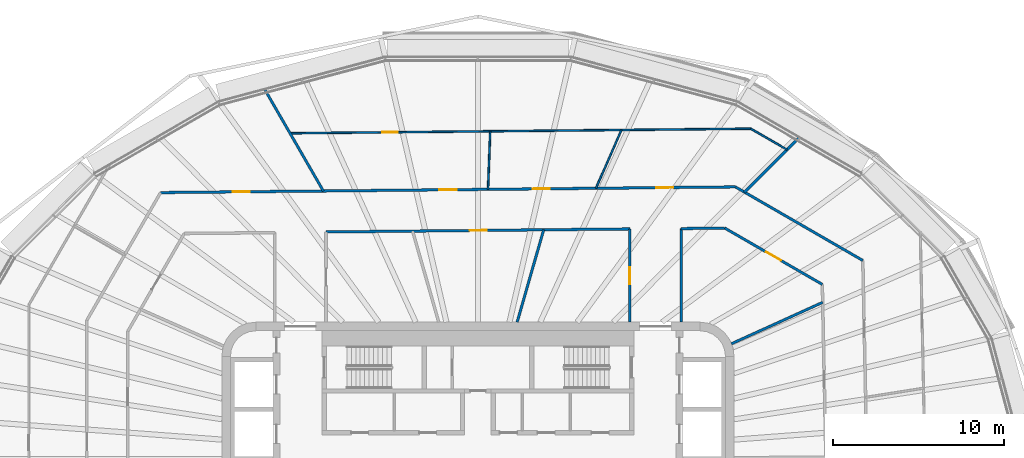
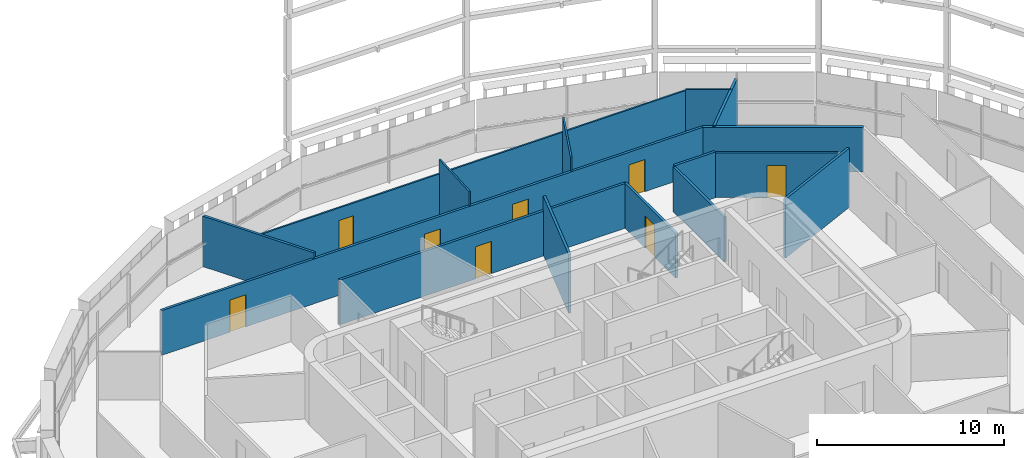
# One storey, part 15 of 24: 15 walls, 8 doors, 8 openings.
"""IFC4 building model written with IfcOpenShell, lengths in metres."""

from ifc_helpers import new_model, si_unit, direction, frame, frame_2d, origin, place, context, subcontext, project, spatial, rectangle, extrude, material, layer, layer_set, type_object, element, fill, save


model = new_model("IFC4")

# Units and contexts
model_context = context("Model", 3, precision=1e-05, world=origin(), true_north=direction((0.0, 1.0)))
body_context = subcontext(model_context, "Body", "Model", "MODEL_VIEW")
ifc_project = project(units=[si_unit("LENGTHUNIT", "METRE"), si_unit("AREAUNIT", "SQUARE_METRE"), si_unit("VOLUMEUNIT", "CUBIC_METRE"), si_unit("PLANEANGLEUNIT", "RADIAN"), si_unit("MASSUNIT", "GRAM", prefix="KILO")], contexts=[model_context])

# Site, building, storey
site_placement = place(None, origin())
site = spatial("IfcSite", under=ifc_project, at=site_placement, CompositionType="ELEMENT")
building_placement = place(site_placement, origin())
building = spatial("IfcBuilding", under=site, at=building_placement, Name="Sahrelin Media Tower", CompositionType="ELEMENT")
storey_placement = place(building_placement, frame((0.0, 0.0, 153.60009765625)))
storey = spatial("IfcBuildingStorey", under=building, at=storey_placement, Name="L31", CompositionType="ELEMENT", Elevation=153.60009765625)

# Wall
ifc_material_1 = material(Name="Fire-rated gypsum board partition")
ifc_layer_1 = layer(ifc_material_1, 0.14990234375)
ifc_layer_set_1 = layer_set([ifc_layer_1], Name="Fire-rated partition 150")
wall_type_1 = type_object("IfcWallType", Name="Fire-rated partition 150", PredefinedType="PARTITIONING", material=ifc_layer_set_1)
wall_1_placement = place(storey_placement, frame((-12.492919921875, 21.638916015625, 0.0), z_axis=(0.0, 0.0, 1.0), x_axis=(0.499964153563, -0.866046098746, 0.0)))
element("IfcWall", 1, at=wall_1_placement, inside=storey, type_object=wall_type_1, Name="Wall", PredefinedType="PARTITIONING", context=body_context, shape_type="SweptSolid", body=[
    extrude(rectangle(XDim=6.87841796875, YDim=0.14990234375, at=frame_2d((3.439208984375, 0.0))), origin(), (0.0, 0.0, 1.0), 3.301513671875),
])

# Wall, opening, door
wall_2_placement = place(storey_placement, frame((14.447998046875, 13.514892578125, 0.0), z_axis=(0.0, 0.0, 1.0), x_axis=(0.865975016585, -0.500087263036, 0.0)))
wall_2 = element("IfcWall", 2, at=wall_2_placement, inside=storey, type_object=wall_type_1, Name="Wall", PredefinedType="PARTITIONING", context=body_context, shape_type="SweptSolid", body=[
    extrude(rectangle(XDim=6.603759765625, YDim=0.14990234375, at=frame_2d((3.3017578125, 0.0))), origin(), (0.0, 0.0, 1.0), 2.927001953125),
])
opening_1_placement = place(wall_2_placement, frame((2.8037109375, 0.0, 0.0)))
opening_1 = element("IfcOpeningElement", 3, at=opening_1_placement, cuts=wall_2, Name="Opening L31-D29", PredefinedType="OPENING", context=body_context, shape_type="SweptSolid", body=[
    extrude(rectangle(XDim=1.0, YDim=2.10009765625, at=frame_2d((0.5, 1.050048828125))), frame((0.0, 0.074951171875, 0.0), z_axis=(0.0, -1.0, 0.0), x_axis=(1.0, 0.0, 0.0)), (0.0, 0.0, 1.0), 0.14990234375),
])
ifc_material_2 = material(Name="Steel fire door leaf", Category="steel")
door_type_1 = type_object("IfcDoorType", Name="Fire door 1000 x 2100 EI 60", OperationType="NOTDEFINED", PredefinedType="DOOR", material=ifc_material_2)
door_1_placement = place(opening_1_placement, origin())
door_1 = element("IfcDoor", 4, at=door_1_placement, inside=storey, type_object=door_type_1, Name="Fire door", OperationType="SINGLE_SWING_LEFT", OverallHeight=2.10009765625, OverallWidth=1.0, PredefinedType="DOOR", context=body_context, shape_type="SweptSolid", body=[
    extrude(rectangle(XDim=1.0, YDim=2.10009765625, at=frame_2d((0.5, 1.050048828125))), frame((0.0, 0.02490234375, 0.0), z_axis=(0.0, -1.0, 0.0), x_axis=(1.0, 0.0, 0.0)), (0.0, 0.0, 1.0), 0.050048828125),
])
fill(opening_1, door_1)

# Wall
wall_3_placement = place(storey_placement, frame((15.080078125, 15.9208984375, 0.0), z_axis=(0.0, 0.0, 1.0), x_axis=(0.865982112089, -0.50007497592, 0.0)))
element("IfcWall", 5, at=wall_3_placement, inside=storey, type_object=wall_type_1, Name="Wall", PredefinedType="PARTITIONING", context=body_context, shape_type="SweptSolid", body=[
    extrude(rectangle(XDim=8.612548828125, YDim=0.14990234375, at=frame_2d((4.30615234375, 0.0))), origin(), (0.0, 0.0, 1.0), 2.927001953125),
])

# Wall, opening, door
wall_4_placement = place(storey_placement, frame((-8.89990234375, 13.282470703125, 0.0), z_axis=(0.0, 0.0, 1.0), x_axis=(0.999950834077, 0.009916119672, 0.0)))
wall_4 = element("IfcWall", 6, at=wall_4_placement, inside=storey, type_object=wall_type_1, Name="Wall", PredefinedType="PARTITIONING", context=body_context, shape_type="SweptSolid", body=[
    extrude(rectangle(XDim=17.80078125, YDim=0.14990234375, at=frame_2d((8.900390625, 0.0))), origin(), (0.0, 0.0, 1.0), 2.927001953125),
])
opening_2_placement = place(wall_4_placement, frame((8.412109375, 0.0, 0.0)))
opening_2 = element("IfcOpeningElement", 7, at=opening_2_placement, cuts=wall_4, Name="Opening L31-D31", PredefinedType="OPENING", context=body_context, shape_type="SweptSolid", body=[
    extrude(rectangle(XDim=1.0, YDim=2.10009765625, at=frame_2d((0.5, 1.050048828125))), frame((0.0, 0.074951171875, 0.0), z_axis=(0.0, -1.0, 0.0), x_axis=(1.0, 0.0, 0.0)), (0.0, 0.0, 1.0), 0.14990234375),
])
door_2_placement = place(opening_2_placement, origin())
door_2 = element("IfcDoor", 8, at=door_2_placement, inside=storey, type_object=door_type_1, Name="Fire door", OperationType="SINGLE_SWING_LEFT", OverallHeight=2.10009765625, OverallWidth=1.0, PredefinedType="DOOR", context=body_context, shape_type="SweptSolid", body=[
    extrude(rectangle(XDim=1.0, YDim=2.10009765625, at=frame_2d((0.5, 1.050048828125))), frame((0.0, 0.02490234375, 0.0), z_axis=(0.0, -1.0, 0.0), x_axis=(1.0, 0.0, 0.0)), (0.0, 0.0, 1.0), 0.050048828125),
])
fill(opening_2, door_2)

# Wall
wall_5_placement = place(storey_placement, frame((11.89990234375, 13.47998046875, 0.0), z_axis=(0.0, 0.0, 1.0), x_axis=(0.999950357576, 0.009964054536, 0.0)))
element("IfcWall", 9, at=wall_5_placement, inside=storey, type_object=wall_type_1, Name="Wall", PredefinedType="PARTITIONING", context=body_context, shape_type="SweptSolid", body=[
    extrude(rectangle(XDim=2.54833984375, YDim=0.14990234375, at=frame_2d((1.274169921875, 0.0))), origin(), (0.0, 0.0, 1.0), 2.994873046875),
])

# Wall, openings, doors
wall_6_placement = place(storey_placement, frame((-18.5869140625, 15.5869140625, 0.0), z_axis=(0.0, 0.0, 1.0), x_axis=(0.99995087003, 0.009912493396, 0.0)))
wall_6 = element("IfcWall", 10, at=wall_6_placement, inside=storey, type_object=wall_type_1, Name="Wall", PredefinedType="PARTITIONING", context=body_context, shape_type="SweptSolid", body=[
    extrude(rectangle(XDim=33.668701171875, YDim=0.14990234375, at=frame_2d((16.83447265625, 0.0))), origin(), (0.0, 0.0, 1.0), 2.927001953125),
])
opening_3_placement = place(wall_6_placement, frame((29.033447265625, 0.0, 0.0)))
opening_3 = element("IfcOpeningElement", 11, at=opening_3_placement, cuts=wall_6, Name="Opening L31-D37", PredefinedType="OPENING", context=body_context, shape_type="SweptSolid", body=[
    extrude(rectangle(XDim=1.0, YDim=2.10009765625, at=frame_2d((0.5, 1.050048828125))), frame((0.0, 0.074951171875, 0.0), z_axis=(0.0, -1.0, 0.0), x_axis=(1.0, 0.0, 0.0)), (0.0, 0.0, 1.0), 0.14990234375),
])
opening_4_placement = place(wall_6_placement, frame((21.786865234375, 0.0, 0.0)))
opening_4 = element("IfcOpeningElement", 12, at=opening_4_placement, cuts=wall_6, Name="Opening L31-D38", PredefinedType="OPENING", context=body_context, shape_type="SweptSolid", body=[
    extrude(rectangle(XDim=1.0, YDim=2.10009765625, at=frame_2d((0.5, 1.050048828125))), frame((0.0, 0.074951171875, 0.0), z_axis=(0.0, -1.0, 0.0), x_axis=(1.0, 0.0, 0.0)), (0.0, 0.0, 1.0), 0.14990234375),
])
opening_5_placement = place(wall_6_placement, frame((16.334716796875, 0.0, 0.0)))
opening_5 = element("IfcOpeningElement", 13, at=opening_5_placement, cuts=wall_6, Name="Opening L31-D39", PredefinedType="OPENING", context=body_context, shape_type="SweptSolid", body=[
    extrude(rectangle(XDim=1.0, YDim=2.10009765625, at=frame_2d((0.5, 1.050048828125))), frame((0.0, 0.074951171875, 0.0), z_axis=(0.0, -1.0, 0.0), x_axis=(1.0, 0.0, 0.0)), (0.0, 0.0, 1.0), 0.14990234375),
])
opening_6_placement = place(wall_6_placement, frame((4.21728515625, 0.0, 0.0)))
opening_6 = element("IfcOpeningElement", 14, at=opening_6_placement, cuts=wall_6, Name="Opening L31-D41", PredefinedType="OPENING", context=body_context, shape_type="SweptSolid", body=[
    extrude(rectangle(XDim=1.0, YDim=2.10009765625, at=frame_2d((0.5, 1.050048828125))), frame((0.0, 0.074951171875, 0.0), z_axis=(0.0, -1.0, 0.0), x_axis=(1.0, 0.0, 0.0)), (0.0, 0.0, 1.0), 0.14990234375),
])
door_3_placement = place(opening_3_placement, origin())
door_3 = element("IfcDoor", 15, at=door_3_placement, inside=storey, type_object=door_type_1, Name="Fire door", OperationType="SINGLE_SWING_LEFT", OverallHeight=2.10009765625, OverallWidth=1.0, PredefinedType="DOOR", context=body_context, shape_type="SweptSolid", body=[
    extrude(rectangle(XDim=1.0, YDim=2.10009765625, at=frame_2d((0.5, 1.050048828125))), frame((0.0, 0.02490234375, 0.0), z_axis=(0.0, -1.0, 0.0), x_axis=(1.0, 0.0, 0.0)), (0.0, 0.0, 1.0), 0.050048828125),
])
fill(opening_3, door_3)
door_4_placement = place(opening_4_placement, origin())
door_4 = element("IfcDoor", 16, at=door_4_placement, inside=storey, type_object=door_type_1, Name="Fire door", OperationType="SINGLE_SWING_LEFT", OverallHeight=2.10009765625, OverallWidth=1.0, PredefinedType="DOOR", context=body_context, shape_type="SweptSolid", body=[
    extrude(rectangle(XDim=1.0, YDim=2.10009765625, at=frame_2d((0.5, 1.050048828125))), frame((0.0, 0.02490234375, 0.0), z_axis=(0.0, -1.0, 0.0), x_axis=(1.0, 0.0, 0.0)), (0.0, 0.0, 1.0), 0.050048828125),
])
fill(opening_4, door_4)
door_5_placement = place(opening_5_placement, origin())
door_5 = element("IfcDoor", 17, at=door_5_placement, inside=storey, type_object=door_type_1, Name="Fire door", OperationType="SINGLE_SWING_LEFT", OverallHeight=2.10009765625, OverallWidth=1.0, PredefinedType="DOOR", context=body_context, shape_type="SweptSolid", body=[
    extrude(rectangle(XDim=1.0, YDim=2.10009765625, at=frame_2d((0.5, 1.050048828125))), frame((0.0, 0.02490234375, 0.0), z_axis=(0.0, -1.0, 0.0), x_axis=(1.0, 0.0, 0.0)), (0.0, 0.0, 1.0), 0.050048828125),
])
fill(opening_5, door_5)
door_6_placement = place(opening_6_placement, origin())
door_6 = element("IfcDoor", 18, at=door_6_placement, inside=storey, type_object=door_type_1, Name="Fire door", OperationType="SINGLE_SWING_LEFT", OverallHeight=2.10009765625, OverallWidth=1.0, PredefinedType="DOOR", context=body_context, shape_type="SweptSolid", body=[
    extrude(rectangle(XDim=1.0, YDim=2.10009765625, at=frame_2d((0.5, 1.050048828125))), frame((0.0, 0.02490234375, 0.0), z_axis=(0.0, -1.0, 0.0), x_axis=(1.0, 0.0, 0.0)), (0.0, 0.0, 1.0), 0.050048828125),
])
fill(opening_6, door_6)

# Walls
wall_7_placement = place(storey_placement, frame((14.843017578125, 6.73291015625, 0.0), z_axis=(0.0, 0.0, 1.0), x_axis=(0.910628361306, 0.413226315214, 0.0)))
element("IfcWall", 19, at=wall_7_placement, inside=storey, type_object=wall_type_1, Name="Wall", PredefinedType="PARTITIONING", context=body_context, shape_type="SweptSolid", body=[
    extrude(rectangle(XDim=5.870361328125, YDim=0.14990234375, at=frame_2d((2.93505859375, 0.0))), origin(), (0.0, 0.0, 1.0), 3.849853515625),
])
wall_8_placement = place(storey_placement, frame((15.613037109375, 15.613037109375, 0.0), z_axis=(0.0, 0.0, 1.0), x_axis=(0.707106781187, 0.707106781187, 0.0)))
element("IfcWall", 20, at=wall_8_placement, inside=storey, type_object=wall_type_1, Name="Wall", PredefinedType="PARTITIONING", context=body_context, shape_type="SweptSolid", body=[
    extrude(rectangle(XDim=4.5380859375, YDim=0.14990234375, at=frame_2d((2.26904296875, 0.0))), origin(), (0.0, 0.0, 1.0), 2.994873046875),
])
wall_9_placement = place(storey_placement, frame((2.2958984375, 8.0, 0.0), z_axis=(0.0, 0.0, 1.0), x_axis=(0.275958345059, 0.961169595749, 0.0)))
element("IfcWall", 21, at=wall_9_placement, inside=storey, type_object=wall_type_1, Name="Wall", PredefinedType="PARTITIONING", context=body_context, shape_type="SweptSolid", body=[
    extrude(rectangle(XDim=5.62841796875, YDim=0.14990234375, at=frame_2d((2.814208984375, 0.0))), origin(), (0.0, 0.0, 1.0), 3.849853515625),
])
wall_10_placement = place(storey_placement, frame((11.89990234375, 8.0, 0.0), z_axis=(0.0, 0.0, 1.0), x_axis=(0.0, 1.0, 0.0)))
element("IfcWall", 22, at=wall_10_placement, inside=storey, type_object=wall_type_1, Name="Wall", PredefinedType="PARTITIONING", context=body_context, shape_type="SweptSolid", body=[
    extrude(rectangle(XDim=5.47900390625, YDim=0.14990234375, at=frame_2d((2.739501953125, 0.0))), origin(), (0.0, 0.0, 1.0), 2.927001953125),
])

# Wall, opening, door
wall_11_placement = place(storey_placement, frame((8.89990234375, 8.0, 0.0), z_axis=(0.0, 0.0, 1.0), x_axis=(0.0, 1.0, 0.0)))
wall_11 = element("IfcWall", 23, at=wall_11_placement, inside=storey, type_object=wall_type_1, Name="Wall", PredefinedType="PARTITIONING", context=body_context, shape_type="SweptSolid", body=[
    extrude(rectangle(XDim=5.4599609375, YDim=0.14990234375, at=frame_2d((2.72998046875, 0.0))), origin(), (0.0, 0.0, 1.0), 2.927001953125),
])
opening_7_placement = place(wall_11_placement, frame((2.22998046875, 0.0, 0.0)))
opening_7 = element("IfcOpeningElement", 24, at=opening_7_placement, cuts=wall_11, Name="Opening L31-D30", PredefinedType="OPENING", context=body_context, shape_type="SweptSolid", body=[
    extrude(rectangle(XDim=1.0, YDim=2.10009765625, at=frame_2d((0.5, 1.050048828125))), frame((0.0, 0.074951171875, 0.0), z_axis=(0.0, -1.0, 0.0), x_axis=(1.0, 0.0, 0.0)), (0.0, 0.0, 1.0), 0.14990234375),
])
door_7_placement = place(opening_7_placement, origin())
door_7 = element("IfcDoor", 25, at=door_7_placement, inside=storey, type_object=door_type_1, Name="Fire door", OperationType="SINGLE_SWING_LEFT", OverallHeight=2.10009765625, OverallWidth=1.0, PredefinedType="DOOR", context=body_context, shape_type="SweptSolid", body=[
    extrude(rectangle(XDim=1.0, YDim=2.10009765625, at=frame_2d((0.5, 1.050048828125))), frame((0.0, 0.02490234375, 0.0), z_axis=(0.0, -1.0, 0.0), x_axis=(1.0, 0.0, 0.0)), (0.0, 0.0, 1.0), 0.050048828125),
])
fill(opening_7, door_7)

# Wall
ifc_material_3 = material(Name="Gypsum board partition")
ifc_layer_2 = layer(ifc_material_3, 0.10009765625)
ifc_layer_set_2 = layer_set([ifc_layer_2], Name="Partition 100")
wall_type_2 = type_object("IfcWallType", Name="Partition 100", PredefinedType="PARTITIONING", material=ifc_layer_set_2)
wall_12_placement = place(storey_placement, frame((15.97509765625, 19.330078125, 0.0), z_axis=(0.0, 0.0, 1.0), x_axis=(0.865977001312, -0.500083826171, 0.0)))
element("IfcWall", 26, at=wall_12_placement, inside=storey, type_object=wall_type_2, Name="Wall", PredefinedType="PARTITIONING", context=body_context, shape_type="SweptSolid", body=[
    extrude(rectangle(XDim=2.4560546875, YDim=0.10009765625, at=frame_2d((1.22802734375, 0.0))), origin(), (0.0, 0.0, 1.0), 2.994873046875),
])

# Wall, opening, door
wall_13_placement = place(storey_placement, frame((-11.006103515625, 19.06298828125, 0.0), z_axis=(0.0, 0.0, 1.0), x_axis=(0.999951007424, 0.009898623735, 0.0)))
wall_13 = element("IfcWall", 27, at=wall_13_placement, inside=storey, type_object=wall_type_2, Name="Wall", PredefinedType="PARTITIONING", context=body_context, shape_type="SweptSolid", body=[
    extrude(rectangle(XDim=26.982421875, YDim=0.10009765625, at=frame_2d((13.4912109375, 0.0))), origin(), (0.0, 0.0, 1.0), 2.927001953125),
])
opening_8_placement = place(wall_13_placement, frame((5.412109375, 0.0, 0.0)))
opening_8 = element("IfcOpeningElement", 28, at=opening_8_placement, cuts=wall_13, Name="Opening L31-D40", PredefinedType="OPENING", context=body_context, shape_type="SweptSolid", body=[
    extrude(rectangle(XDim=0.89990234375, YDim=2.10009765625, at=frame_2d((0.449951171875, 1.050048828125))), frame((0.0, 0.050048828125, 0.0), z_axis=(0.0, -1.0, 0.0), x_axis=(1.0, 0.0, 0.0)), (0.0, 0.0, 1.0), 0.10009765625),
])
ifc_material_4 = material(Name="Timber door leaf", Category="wood")
door_type_2 = type_object("IfcDoorType", Name="Single door 900 x 2100", OperationType="NOTDEFINED", PredefinedType="DOOR", material=ifc_material_4)
door_8_placement = place(opening_8_placement, origin())
door_8 = element("IfcDoor", 29, at=door_8_placement, inside=storey, type_object=door_type_2, Name="Single door", OperationType="SINGLE_SWING_LEFT", OverallHeight=2.10009765625, OverallWidth=0.89990234375, PredefinedType="DOOR", context=body_context, shape_type="SweptSolid", body=[
    extrude(rectangle(XDim=0.89990234375, YDim=2.10009765625, at=frame_2d((0.449951171875, 1.050048828125))), frame((0.0, 0.02490234375, 0.0), z_axis=(0.0, -1.0, 0.0), x_axis=(1.0, 0.0, 0.0)), (0.0, 0.0, 1.0), 0.050048828125),
])
fill(opening_8, door_8)

# Walls
wall_14_placement = place(storey_placement, frame((6.910888671875, 15.840087890625, 0.0), z_axis=(0.0, 0.0, 1.0), x_axis=(0.39992143624, 0.916549423019, 0.0)))
element("IfcWall", 30, at=wall_14_placement, inside=storey, type_object=wall_type_2, Name="Wall", PredefinedType="PARTITIONING", context=body_context, shape_type="SweptSolid", body=[
    extrude(rectangle(XDim=3.7255859375, YDim=0.10009765625, at=frame_2d((1.86279296875, 0.0))), origin(), (0.0, 0.0, 1.0), 3.849853515625),
])
wall_15_placement = place(storey_placement, frame((0.590087890625, 15.778076171875, 0.0), z_axis=(0.0, 0.0, 1.0), x_axis=(0.037590068891, 0.999293243608, 0.0)))
element("IfcWall", 31, at=wall_15_placement, inside=storey, type_object=wall_type_2, Name="Wall", PredefinedType="PARTITIONING", context=body_context, shape_type="SweptSolid", body=[
    extrude(rectangle(XDim=3.4033203125, YDim=0.10009765625, at=frame_2d((1.70166015625, 0.0))), origin(), (0.0, 0.0, 1.0), 3.849853515625),
])

save(model, "model.ifc")
